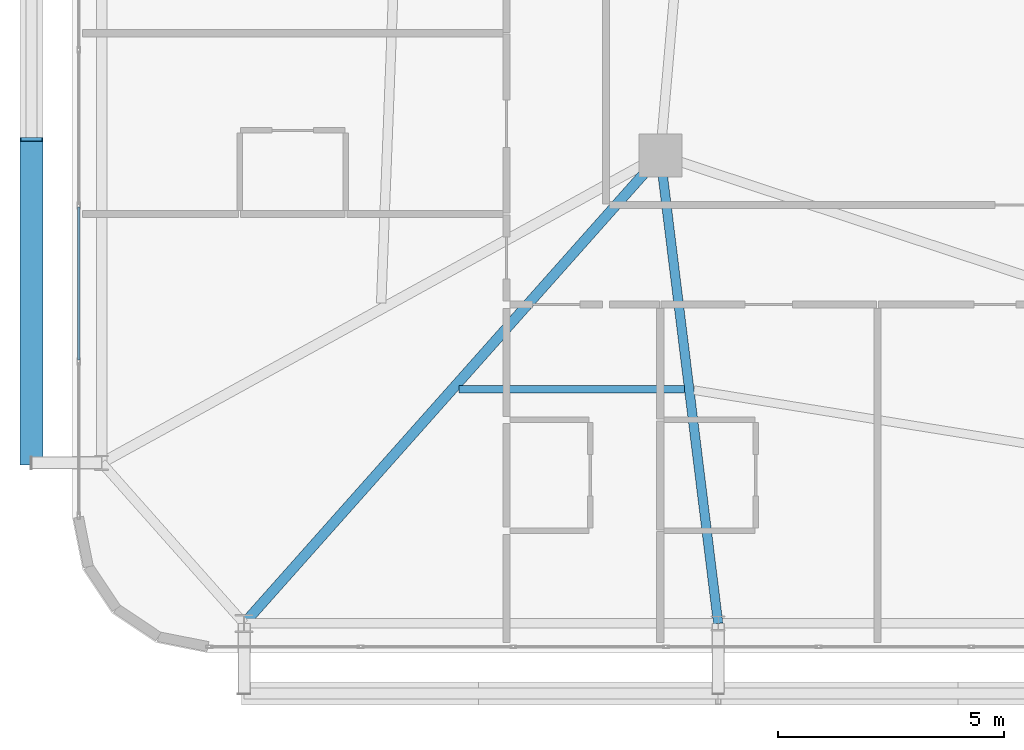
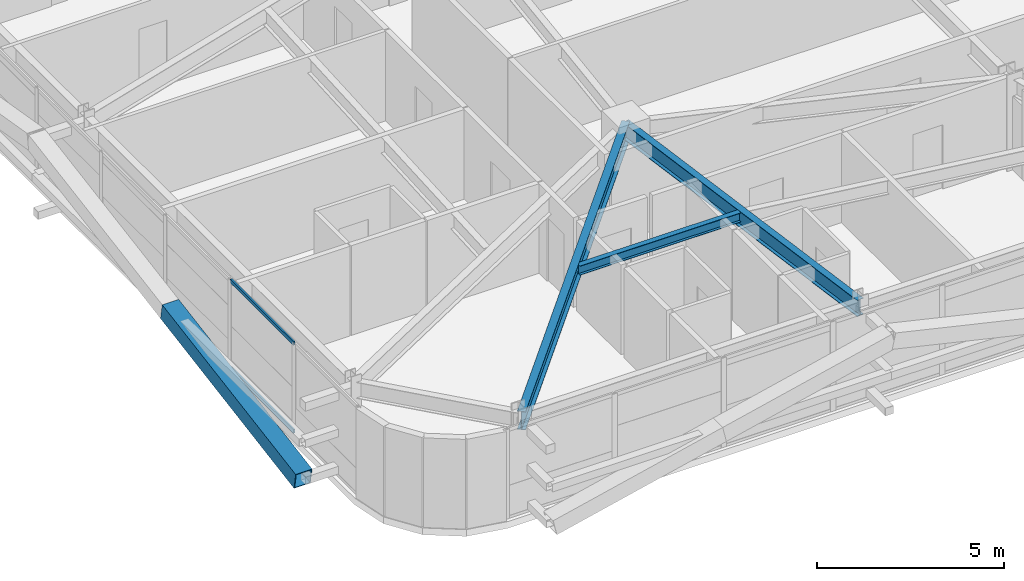
# One storey, part 7 of 59: 3 beams, 3 members, 1 element without a shape of its own.
"""IFC4 building model written with IfcOpenShell, lengths in metres."""

from ifc_helpers import new_model, si_unit, direction, frame, origin, origin_2d, place, context, subcontext, project, spatial, hollow_rectangle, i_section, extrude, source, transform, mapped, material, layer, layer_set, material_profile, profile_set, type_object, element, aggregate, save


model = new_model("IFC4")

# Units and contexts
model_context = context("Model", 3, precision=1e-05, world=origin(), true_north=direction((0.0, 1.0)))
body_context = subcontext(model_context, "Body", "Model", "MODEL_VIEW")
ifc_project = project(units=[si_unit("LENGTHUNIT", "METRE"), si_unit("AREAUNIT", "SQUARE_METRE"), si_unit("VOLUMEUNIT", "CUBIC_METRE"), si_unit("PLANEANGLEUNIT", "RADIAN"), si_unit("MASSUNIT", "GRAM", prefix="KILO")], contexts=[model_context])

# Site, building, storey
site_placement = place(None, origin())
site = spatial("IfcSite", under=ifc_project, at=site_placement, CompositionType="ELEMENT")
building_placement = place(site_placement, origin())
building = spatial("IfcBuilding", under=site, at=building_placement, Name="Taldren Reach Tower", CompositionType="ELEMENT")
storey_placement = place(building_placement, frame((0.0, 0.0, 23.10009765625)))
storey = spatial("IfcBuildingStorey", under=building, at=storey_placement, Name="L06", CompositionType="ELEMENT", Elevation=23.10009765625)

# Beams
ifc_material_1 = material(Name="Steel Gr 350 (350PLUS)", Category="steel")
ifc_material_profile_1 = material_profile(ifc_material_1, i_section(OverallWidth=0.22802734375, OverallDepth=0.60205078125, WebThickness=0.010498046875, FlangeThickness=0.014892578125, at=origin_2d()), Name="610UB101")
ifc_profile_set_1 = profile_set([ifc_material_profile_1], Name="Steel Gr 350 (350PLUS)")
beam_type_1 = type_object("IfcBeamType", Name="BM-UB610B", PredefinedType="BEAM", material=ifc_profile_set_1)
shared_shape_1 = source(origin(), body_context, "Body", "SweptSolid", [
    extrude(i_section(OverallWidth=0.22802734375, OverallDepth=0.60205078125, WebThickness=0.010498046875, FlangeThickness=0.014892578125, at=origin_2d()), origin(), (0.0, 0.0, 1.0), 13.847900390625),
])
beam_1_placement = place(storey_placement, frame((18.0, 12.5, 2.62890625), z_axis=(-0.664358367375, -0.747414182164, 0.0), x_axis=(0.747414182164, -0.664358367375, 0.0)))
element("IfcBeam", 1, at=beam_1_placement, inside=storey, type_object=beam_type_1, Name="Primary floor girder B1-S1 L06", PredefinedType="BEAM", context=body_context, shape_type="MappedRepresentation", body=[
    mapped(shared_shape_1, transform((0.0, 0.0, 0.0), scale=1.0)),
])
ifc_material_profile_2 = material_profile(ifc_material_1, i_section(OverallWidth=0.208984375, OverallDepth=0.532958984375, WebThickness=0.01025390625, FlangeThickness=0.015625, at=origin_2d()), Name="530UB92.4")
ifc_profile_set_2 = profile_set([ifc_material_profile_2], Name="Steel Gr 350 (350PLUS)")
beam_type_2 = type_object("IfcBeamType", Name="BM-UB530A", PredefinedType="BEAM", material=ifc_profile_set_2)
shared_shape_2 = source(origin(), body_context, "Body", "SweptSolid", [
    extrude(i_section(OverallWidth=0.208984375, OverallDepth=0.532958984375, WebThickness=0.01025390625, FlangeThickness=0.015625, at=origin_2d()), origin(), (0.0, 0.0, 1.0), 10.428955078125),
])
beam_2_placement = place(storey_placement, frame((18.0, 12.5, 2.663330078125), z_axis=(0.122738080664, -0.992439098159, 0.0), x_axis=(0.992439098159, 0.122738080664, 0.0)))
element("IfcBeam", 2, at=beam_2_placement, inside=storey, type_object=beam_type_2, Name="Primary floor girder B1-S2 L06", PredefinedType="BEAM", context=body_context, shape_type="MappedRepresentation", body=[
    mapped(shared_shape_2, transform((0.0, 0.0, 0.0), scale=1.0)),
])
ifc_material_2 = material(Name="Steel Gr 300 (300PLUS, 300 MPa)", Category="steel")
ifc_material_profile_3 = material_profile(ifc_material_2, i_section(OverallWidth=0.166015625, OverallDepth=0.306884765625, WebThickness=0.006591796875, FlangeThickness=0.01171875, at=origin_2d()), Name="310UB46.2")
ifc_profile_set_3 = profile_set([ifc_material_profile_3], Name="Steel Gr 300 (300PLUS, 300 MPa)")
beam_type_3 = type_object("IfcBeamType", Name="JS-UB310", PredefinedType="JOIST", material=ifc_profile_set_3)
shared_shape_3 = source(origin(), body_context, "Body", "SweptSolid", [
    extrude(i_section(OverallWidth=0.166015625, OverallDepth=0.306884765625, WebThickness=0.006591796875, FlangeThickness=0.01171875, at=origin_2d()), origin(), (0.0, 0.0, 1.0), 4.982177734375),
])
beam_3_placement = place(storey_placement, frame((13.552490234375, 7.324951171875, 2.7763671875), z_axis=(1.0, 0.0, 0.0), x_axis=(0.0, 1.0, 0.0)))
element("IfcBeam", 3, at=beam_3_placement, inside=storey, type_object=beam_type_3, Name="Secondary floor joist B1 J1 L06", PredefinedType="JOIST", context=body_context, shape_type="MappedRepresentation", body=[
    mapped(shared_shape_3, transform((0.0, 0.0, 0.0), scale=1.0)),
])

# Member
ifc_material_3 = material(Name="Steel Gr 450 (C450L0)", Category="steel")
ifc_material_profile_4 = material_profile(ifc_material_3, hollow_rectangle(XDim=0.510009765625, YDim=0.510009765625, WallThickness=0.02001953125, at=origin_2d()), Name="510x510x20.0SHS")
ifc_profile_set_4 = profile_set([ifc_material_profile_4], Name="Steel Gr 450 (C450L0)")
member_type_1 = type_object("IfcMemberType", Name="MB-EXO508", PredefinedType="BRACE", material=ifc_profile_set_4)
shared_shape_4 = source(origin(), body_context, "Body", "SweptSolid", [
    extrude(hollow_rectangle(XDim=0.510009765625, YDim=0.510009765625, WallThickness=0.02001953125, at=origin_2d()), origin(), (0.0, 0.0, 1.0), 7.252685546875),
])
member_1_placement = place(storey_placement, frame((4.10009765625, 5.699951171875, 0.219970703125), z_axis=(0.0, 0.985871360071, 0.167504213054), x_axis=(-1.0, 0.0, 0.0)))
element("IfcMember", 4, at=member_1_placement, inside=storey, type_object=member_type_1, Name="Exoskeleton Diagrid Brace B1-W1 L06", PredefinedType="BRACE", context=body_context, shape_type="MappedRepresentation", body=[
    mapped(shared_shape_4, transform((0.0, 0.0, 0.0), scale=1.0)),
])

# Curtain wall, members
ifc_material_4 = material(Name="Aluminium and Low-E Glass Unitised System", Category="aluminium")
ifc_layer = layer(ifc_material_4, 0.159912109375)
ifc_layer_set = layer_set([ifc_layer], Name="Aluminium and Low-E Glass Unitised System")
curtain_wall_type = type_object("IfcCurtainWallType", Name="CW-SYS-2", PredefinedType="NOTDEFINED", material=ifc_layer_set)
curtain_wall_placement = place(storey_placement, origin())
curtain_wall = element("IfcCurtainWall", 5, at=curtain_wall_placement, inside=storey, type_object=curtain_wall_type, Name="Unitised curtain wall CW-L06-W", PredefinedType="NOTDEFINED")
ifc_material_5 = material(Name="Anodised Aluminium 6063-T6", Category="aluminium")
ifc_material_profile_5 = material_profile(ifc_material_5, hollow_rectangle(XDim=0.054931640625, YDim=0.1201171875, WallThickness=0.0029296875, at=origin_2d()), Name="ALU-120x55x3RHS")
ifc_profile_set_5 = profile_set([ifc_material_profile_5], Name="Anodised Aluminium 6063-T6")
member_type_2 = type_object("IfcMemberType", Name="CW-TRN-135", PredefinedType="USERDEFINED", material=ifc_profile_set_5)
shared_shape_5 = source(origin(), body_context, "Body", "SweptSolid", [
    extrude(hollow_rectangle(XDim=0.054931640625, YDim=0.1201171875, WallThickness=0.0029296875, at=origin_2d()), origin(), (0.0, 0.0, 1.0), 3.37939453125),
])
member_2_placement = place(storey_placement, frame((5.139892578125, 11.3564453125, 0.02734375), z_axis=(0.0, -1.0, 0.0), x_axis=(1.0, 0.0, 0.0)))
member_2 = element("IfcMember", 6, at=member_2_placement, type_object=member_type_2, Name="CW-2 transom 8.1", ObjectType="TRANSOM", PredefinedType="USERDEFINED", context=body_context, shape_type="MappedRepresentation", body=[
    mapped(shared_shape_5, transform((0.0, 0.0, 0.0), scale=1.0)),
])
member_3_placement = place(storey_placement, frame((5.139892578125, 11.3564453125, 2.90234375), z_axis=(0.0, -1.0, 0.0), x_axis=(1.0, 0.0, 0.0)))
member_3 = element("IfcMember", 7, at=member_3_placement, type_object=member_type_2, Name="CW-2 transom 8.2", ObjectType="TRANSOM", PredefinedType="USERDEFINED", context=body_context, shape_type="MappedRepresentation", body=[
    mapped(shared_shape_5, transform((0.0, 0.0, 0.0), scale=1.0)),
])
aggregate(curtain_wall, [member_2, member_3])

save(model, "model.ifc")
